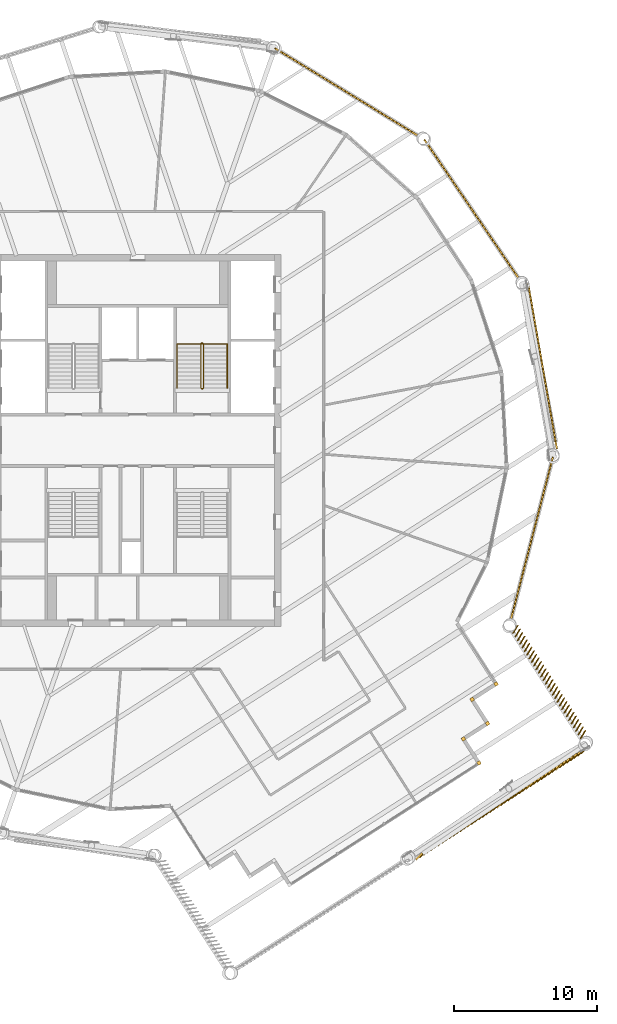
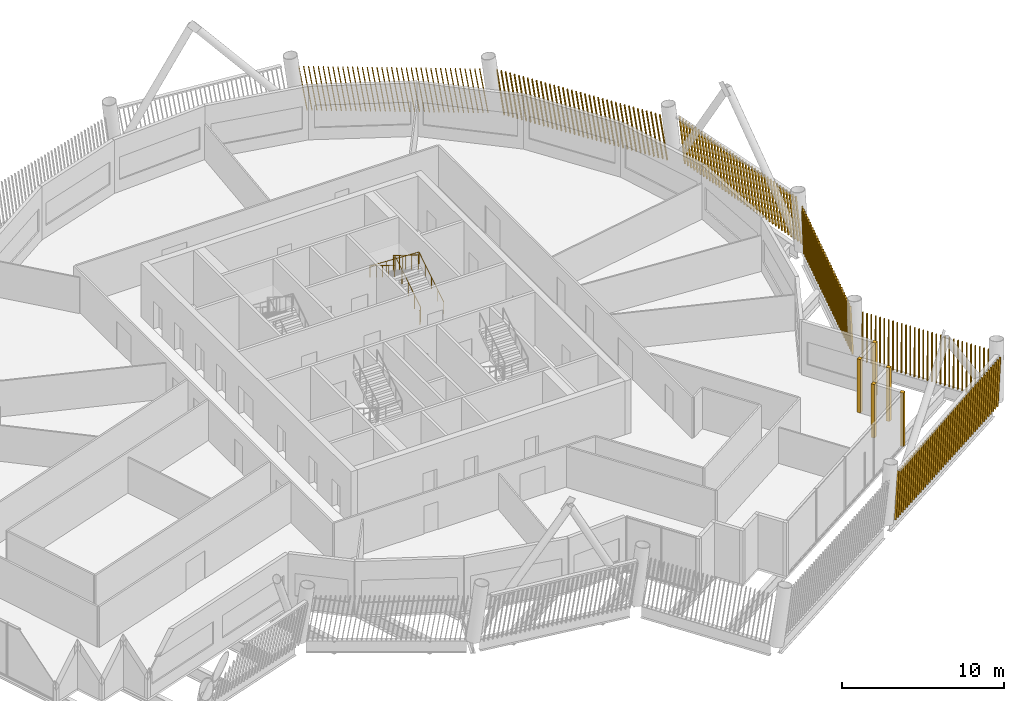
# One storey, part 33 of 35: 11 shading devices, 2 railings.
"""IFC4 building model written with IfcOpenShell, lengths in metres."""

from ifc_helpers import new_model, si_unit, direction, frame, frame_2d, origin, origin_2d, place, context, subcontext, project, spatial, rectangle, circle, composite_profile, extrude, material, type_object, element, save


model = new_model("IFC4")

# Units and contexts
model_context = context("Model", 3, precision=1e-05, world=origin(), true_north=direction((0.0, 1.0)))
body_context = subcontext(model_context, "Body", "Model", "MODEL_VIEW")
ifc_project = project(units=[si_unit("LENGTHUNIT", "METRE"), si_unit("AREAUNIT", "SQUARE_METRE"), si_unit("VOLUMEUNIT", "CUBIC_METRE"), si_unit("PLANEANGLEUNIT", "RADIAN"), si_unit("MASSUNIT", "GRAM", prefix="KILO")], contexts=[model_context])

# Site, building, storey
site_placement = place(None, origin())
site = spatial("IfcSite", under=ifc_project, at=site_placement, CompositionType="ELEMENT")
building_placement = place(site_placement, origin())
building = spatial("IfcBuilding", under=site, at=building_placement, Name="Tarsis Ring Headquarters", CompositionType="ELEMENT")
storey_placement = place(building_placement, frame((0.0, 0.0, 360.800048828125)))
storey = spatial("IfcBuildingStorey", under=building, at=storey_placement, Name="L85", CompositionType="ELEMENT", Elevation=360.800048828125)

# Railings
ifc_material_1 = material(Name="Steel S355", Category="steel")
railing_type_1 = type_object("IfcRailingType", Name="Core stair guard 1100", PredefinedType="GUARDRAIL", material=ifc_material_1)
railing_1_placement = place(storey_placement, frame((4.4599609375, 3.610107421875, 0.0)))
element("IfcRailing", 1, at=railing_1_placement, inside=storey, type_object=railing_type_1, Name="L85 ST2 stair guard 1", PredefinedType="GUARDRAIL", context=body_context, shape_type="SweptSolid", body=[
    extrude(circle(Radius=0.02392578125, at=origin_2d()), frame((0.0, 0.0, 1.076171875), z_axis=(1.0, 0.0, 0.0), x_axis=(0.0, 1.0, 0.0)), (0.0, 0.0, 1.0), 0.080078125),
    extrude(circle(Radius=0.02392578125, at=origin_2d()), frame((0.080078125, 0.0, 1.076171875), z_axis=(0.265155923931, 0.263862480399, 0.927399011991), x_axis=(-0.705375805398, 0.708833529934, 0.0)), (0.0, 0.0, 1.0), 0.188720703125),
    extrude(circle(Radius=0.02392578125, at=origin_2d()), frame((0.130126953125, 0.0498046875, 1.2509765625), z_axis=(0.0, 0.848028513186, 0.529950602248), x_axis=(-1.0, 0.0, 0.0)), (0.0, 0.0, 1.0), 3.632080078125),
    extrude(circle(Radius=0.02392578125, at=origin_2d()), frame((0.130126953125, 3.1298828125, 3.17578125), z_axis=(-0.707106781187, 0.707106781187, 0.0), x_axis=(-0.707106781187, -0.707106781187, 0.0)), (0.0, 0.0, 1.0), 0.07080078125),
    extrude(circle(Radius=0.02392578125, at=origin_2d()), frame((0.080078125, 3.179931640625, 3.17578125), z_axis=(-1.0, 0.0, 0.0), x_axis=(0.0, -1.0, 0.0)), (0.0, 0.0, 1.0), 0.080078125),
    extrude(circle(Radius=0.02392578125, at=origin_2d()), frame((0.0, 3.179931640625, 3.17578125), z_axis=(-0.265065253269, -0.265065253269, 0.927081885822), x_axis=(0.707106781187, -0.707106781187, 0.0)), (0.0, 0.0, 1.0), 0.188720703125),
    extrude(circle(Radius=0.02392578125, at=origin_2d()), frame((-0.050048828125, 3.1298828125, 3.35107421875), z_axis=(0.0, -0.847998304005, 0.529998940003), x_axis=(1.0, 0.0, 0.0)), (0.0, 0.0, 1.0), 3.632080078125),
    extrude(circle(Radius=0.02099609375, at=origin_2d()), origin(), (0.0, 0.0, 1.0), 1.052001953125),
    extrude(circle(Radius=0.02099609375, at=origin_2d()), frame((0.080078125, 0.0, 0.0)), (0.0, 0.0, 1.0), 1.052001953125),
    extrude(circle(Radius=0.02099609375, at=origin_2d()), frame((0.130126953125, 0.0498046875, 0.175048828125)), (0.0, 0.0, 1.0), 1.052001953125),
    extrude(circle(Radius=0.02099609375, at=origin_2d()), frame((0.130126953125, 0.81982421875, 0.65625)), (0.0, 0.0, 1.0), 1.052001953125),
    extrude(circle(Radius=0.02099609375, at=origin_2d()), frame((0.130126953125, 1.58984375, 1.137451171875)), (0.0, 0.0, 1.0), 1.052001953125),
    extrude(circle(Radius=0.02099609375, at=origin_2d()), frame((0.130126953125, 2.35986328125, 1.61865234375)), (0.0, 0.0, 1.0), 1.052001953125),
    extrude(circle(Radius=0.02099609375, at=origin_2d()), frame((0.130126953125, 3.1298828125, 2.099853515625)), (0.0, 0.0, 1.0), 1.052001953125),
    extrude(circle(Radius=0.02099609375, at=origin_2d()), frame((0.080078125, 3.179931640625, 2.099853515625)), (0.0, 0.0, 1.0), 1.052001953125),
    extrude(circle(Radius=0.02099609375, at=origin_2d()), frame((0.0, 3.179931640625, 2.099853515625)), (0.0, 0.0, 1.0), 1.052001953125),
    extrude(circle(Radius=0.02099609375, at=origin_2d()), frame((-0.050048828125, 3.1298828125, 2.27490234375)), (0.0, 0.0, 1.0), 1.052001953125),
    extrude(circle(Radius=0.02099609375, at=origin_2d()), frame((-0.050048828125, 2.35986328125, 2.756103515625)), (0.0, 0.0, 1.0), 1.052001953125),
    extrude(circle(Radius=0.02099609375, at=origin_2d()), frame((-0.050048828125, 1.58984375, 3.2373046875)), (0.0, 0.0, 1.0), 1.052001953125),
    extrude(circle(Radius=0.02099609375, at=origin_2d()), frame((-0.050048828125, 0.81982421875, 3.71875)), (0.0, 0.0, 1.0), 1.052001953125),
    extrude(circle(Radius=0.02099609375, at=origin_2d()), frame((-0.050048828125, 0.0498046875, 4.199951171875)), (0.0, 0.0, 1.0), 1.052001953125),
])
railing_type_2 = type_object("IfcRailingType", Name="Core stair handrail 900", PredefinedType="HANDRAIL", material=ifc_material_1)
railing_2_placement = place(storey_placement, frame((6.25, 3.659912109375, 0.175048828125)))
element("IfcRailing", 2, at=railing_2_placement, inside=storey, type_object=railing_type_2, Name="L85 ST2 stair handrail 1", PredefinedType="HANDRAIL", context=body_context, shape_type="SweptSolid", body=[
    extrude(circle(Radius=0.02392578125, at=origin_2d()), frame((0.0, 0.0, 0.8759765625), z_axis=(0.0, 0.848028513186, 0.529950602248), x_axis=(-1.0, 0.0, 0.0)), (0.0, 0.0, 1.0), 3.632080078125),
    extrude(circle(Radius=0.02392578125, at=origin_2d()), frame((0.0, 3.080078125, 2.80078125), z_axis=(-0.998751643845, 0.0, 0.049951515669), x_axis=(0.0, -1.0, 0.0)), (0.0, 0.0, 1.0), 3.50439453125),
    extrude(circle(Radius=0.02392578125, at=origin_2d()), frame((-3.5, 3.080078125, 2.9755859375), z_axis=(0.0, -0.847998304005, 0.529998940003), x_axis=(1.0, 0.0, 0.0)), (0.0, 0.0, 1.0), 3.632080078125),
    extrude(circle(Radius=0.02099609375, at=origin_2d()), origin(), (0.0, 0.0, 1.0), 0.851806640625),
    extrude(circle(Radius=0.02099609375, at=origin_2d()), frame((0.0, 0.77001953125, 0.481201171875)), (0.0, 0.0, 1.0), 0.851806640625),
    extrude(circle(Radius=0.02099609375, at=origin_2d()), frame((0.0, 1.5400390625, 0.96240234375)), (0.0, 0.0, 1.0), 0.851806640625),
    extrude(circle(Radius=0.02099609375, at=origin_2d()), frame((0.0, 2.31005859375, 1.443603515625)), (0.0, 0.0, 1.0), 0.851806640625),
    extrude(circle(Radius=0.02099609375, at=origin_2d()), frame((0.0, 3.080078125, 1.9248046875)), (0.0, 0.0, 1.0), 0.851806640625),
    extrude(circle(Radius=0.02099609375, at=origin_2d()), frame((-1.166748046875, 3.080078125, 1.983154296875)), (0.0, 0.0, 1.0), 0.851806640625),
    extrude(circle(Radius=0.02099609375, at=origin_2d()), frame((-2.333251953125, 3.080078125, 2.04150390625)), (0.0, 0.0, 1.0), 0.851806640625),
    extrude(circle(Radius=0.02099609375, at=origin_2d()), frame((-3.5, 3.080078125, 2.099853515625)), (0.0, 0.0, 1.0), 0.851806640625),
    extrude(circle(Radius=0.02099609375, at=origin_2d()), frame((-3.5, 2.31005859375, 2.5810546875)), (0.0, 0.0, 1.0), 0.851806640625),
    extrude(circle(Radius=0.02099609375, at=origin_2d()), frame((-3.5, 1.5400390625, 3.0625)), (0.0, 0.0, 1.0), 0.851806640625),
    extrude(circle(Radius=0.02099609375, at=origin_2d()), frame((-3.5, 0.77001953125, 3.543701171875)), (0.0, 0.0, 1.0), 0.851806640625),
    extrude(circle(Radius=0.02099609375, at=origin_2d()), frame((-3.5, 0.0, 4.02490234375)), (0.0, 0.0, 1.0), 0.851806640625),
])

# Shading devices
ifc_material_2 = material(Name="Terracotta baguette", Category="masonry")
shading_device_type_1 = type_object("IfcShadingDeviceType", Name="Terracotta baguette screen", PredefinedType="USERDEFINED", material=ifc_material_2)
shading_device_1_placement = place(storey_placement, frame((19.433837890625, -29.3232421875, 0.0), z_axis=(0.0, 0.0, 1.0), x_axis=(0.841326846528, 0.540539584255, 0.0)))
element("IfcShadingDevice", 3, at=shading_device_1_placement, inside=storey, type_object=shading_device_type_1, Name="Baguette screen L85-03", ObjectType="Terracotta baguette screen", PredefinedType="USERDEFINED", context=body_context, shape_type="SweptSolid", body=[
    extrude(composite_profile([rectangle(XDim=0.06005859375, YDim=0.1201171875, at=frame_2d((0.030029296875, 0.0))), rectangle(XDim=0.06005859375, YDim=0.1201171875, at=frame_2d((0.33544921875, 0.0))), rectangle(XDim=0.06005859375, YDim=0.1201171875, at=frame_2d((0.640625, 0.0))), rectangle(XDim=0.06005859375, YDim=0.1201171875, at=frame_2d((0.946044921875, 0.0))), rectangle(XDim=0.06005859375, YDim=0.1201171875, at=frame_2d((1.25146484375, 0.0))), rectangle(XDim=0.06005859375, YDim=0.1201171875, at=frame_2d((1.556640625, 0.0))), rectangle(XDim=0.06005859375, YDim=0.1201171875, at=frame_2d((1.862060546875, 0.0))), rectangle(XDim=0.06005859375, YDim=0.1201171875, at=frame_2d((2.16748046875, 0.0))), rectangle(XDim=0.06005859375, YDim=0.1201171875, at=frame_2d((2.47265625, 0.0))), rectangle(XDim=0.06005859375, YDim=0.1201171875, at=frame_2d((2.778076171875, 0.0))), rectangle(XDim=0.06005859375, YDim=0.1201171875, at=frame_2d((3.08349609375, 0.0))), rectangle(XDim=0.06005859375, YDim=0.1201171875, at=frame_2d((3.388671875, 0.0))), rectangle(XDim=0.06005859375, YDim=0.1201171875, at=frame_2d((3.694091796875, 0.0))), rectangle(XDim=0.06005859375, YDim=0.1201171875, at=frame_2d((3.99951171875, 0.0))), rectangle(XDim=0.06005859375, YDim=0.1201171875, at=frame_2d((4.3046875, 0.0))), rectangle(XDim=0.06005859375, YDim=0.1201171875, at=frame_2d((4.610107421875, 0.0))), rectangle(XDim=0.06005859375, YDim=0.1201171875, at=frame_2d((4.91552734375, 0.0))), rectangle(XDim=0.06005859375, YDim=0.1201171875, at=frame_2d((5.220703125, 0.0))), rectangle(XDim=0.06005859375, YDim=0.1201171875, at=frame_2d((5.526123046875, 0.0))), rectangle(XDim=0.06005859375, YDim=0.1201171875, at=frame_2d((5.83154296875, 0.0))), rectangle(XDim=0.06005859375, YDim=0.1201171875, at=frame_2d((6.13671875, 0.0))), rectangle(XDim=0.06005859375, YDim=0.1201171875, at=frame_2d((6.442138671875, 0.0))), rectangle(XDim=0.06005859375, YDim=0.1201171875, at=frame_2d((6.74755859375, 0.0))), rectangle(XDim=0.06005859375, YDim=0.1201171875, at=frame_2d((7.052734375, 0.0))), rectangle(XDim=0.06005859375, YDim=0.1201171875, at=frame_2d((7.358154296875, 0.0))), rectangle(XDim=0.06005859375, YDim=0.1201171875, at=frame_2d((7.66357421875, 0.0))), rectangle(XDim=0.06005859375, YDim=0.1201171875, at=frame_2d((7.96875, 0.0))), rectangle(XDim=0.06005859375, YDim=0.1201171875, at=frame_2d((8.274169921875, 0.0))), rectangle(XDim=0.06005859375, YDim=0.1201171875, at=frame_2d((8.57958984375, 0.0))), rectangle(XDim=0.06005859375, YDim=0.1201171875, at=frame_2d((8.884765625, 0.0))), rectangle(XDim=0.06005859375, YDim=0.1201171875, at=frame_2d((9.190185546875, 0.0))), rectangle(XDim=0.06005859375, YDim=0.1201171875, at=frame_2d((9.49560546875, 0.0))), rectangle(XDim=0.06005859375, YDim=0.1201171875, at=frame_2d((9.80078125, 0.0))), rectangle(XDim=0.06005859375, YDim=0.1201171875, at=frame_2d((10.106201171875, 0.0))), rectangle(XDim=0.06005859375, YDim=0.1201171875, at=frame_2d((10.41162109375, 0.0))), rectangle(XDim=0.06005859375, YDim=0.1201171875, at=frame_2d((10.716796875, 0.0))), rectangle(XDim=0.06005859375, YDim=0.1201171875, at=frame_2d((11.022216796875, 0.0))), rectangle(XDim=0.06005859375, YDim=0.1201171875, at=frame_2d((11.32763671875, 0.0))), rectangle(XDim=0.06005859375, YDim=0.1201171875, at=frame_2d((11.6328125, 0.0))), rectangle(XDim=0.06005859375, YDim=0.1201171875, at=frame_2d((11.938232421875, 0.0))), rectangle(XDim=0.06005859375, YDim=0.1201171875, at=frame_2d((12.24365234375, 0.0))), rectangle(XDim=0.06005859375, YDim=0.1201171875, at=frame_2d((12.548828125, 0.0))), rectangle(XDim=0.06005859375, YDim=0.1201171875, at=frame_2d((12.854248046875, 0.0))), rectangle(XDim=0.06005859375, YDim=0.1201171875, at=frame_2d((13.15966796875, 0.0))), rectangle(XDim=0.06005859375, YDim=0.1201171875, at=frame_2d((13.46484375, 0.0))), rectangle(XDim=0.06005859375, YDim=0.1201171875, at=frame_2d((13.770263671875, 0.0)))]), origin(), (0.190514647932, 0.041888345504, 0.980790260675), 3.3447265625),
])
shading_device_2_placement = place(storey_placement, frame((30.991943359375, -20.857421875, 0.0), z_axis=(0.0, 0.0, 1.0), x_axis=(-0.540539041704, 0.841309893523, 0.0)))
element("IfcShadingDevice", 4, at=shading_device_2_placement, inside=storey, type_object=shading_device_type_1, Name="Baguette screen L85-04", ObjectType="Terracotta baguette screen", PredefinedType="USERDEFINED", context=body_context, shape_type="SweptSolid", body=[
    extrude(composite_profile([rectangle(XDim=0.06005859375, YDim=0.1201171875, at=frame_2d((0.030029296875, 0.0))), rectangle(XDim=0.06005859375, YDim=0.1201171875, at=frame_2d((0.33154296875, 0.0))), rectangle(XDim=0.06005859375, YDim=0.1201171875, at=frame_2d((0.633056640625, 0.0))), rectangle(XDim=0.06005859375, YDim=0.1201171875, at=frame_2d((0.9345703125, 0.0))), rectangle(XDim=0.06005859375, YDim=0.1201171875, at=frame_2d((1.236083984375, 0.0))), rectangle(XDim=0.06005859375, YDim=0.1201171875, at=frame_2d((1.537841796875, 0.0))), rectangle(XDim=0.06005859375, YDim=0.1201171875, at=frame_2d((1.83935546875, 0.0))), rectangle(XDim=0.06005859375, YDim=0.1201171875, at=frame_2d((2.140869140625, 0.0))), rectangle(XDim=0.06005859375, YDim=0.1201171875, at=frame_2d((2.4423828125, 0.0))), rectangle(XDim=0.06005859375, YDim=0.1201171875, at=frame_2d((2.743896484375, 0.0))), rectangle(XDim=0.06005859375, YDim=0.1201171875, at=frame_2d((3.04541015625, 0.0))), rectangle(XDim=0.06005859375, YDim=0.1201171875, at=frame_2d((3.346923828125, 0.0))), rectangle(XDim=0.06005859375, YDim=0.1201171875, at=frame_2d((3.6484375, 0.0))), rectangle(XDim=0.06005859375, YDim=0.1201171875, at=frame_2d((3.949951171875, 0.0))), rectangle(XDim=0.06005859375, YDim=0.1201171875, at=frame_2d((4.25146484375, 0.0))), rectangle(XDim=0.06005859375, YDim=0.1201171875, at=frame_2d((4.55322265625, 0.0))), rectangle(XDim=0.06005859375, YDim=0.1201171875, at=frame_2d((4.854736328125, 0.0))), rectangle(XDim=0.06005859375, YDim=0.1201171875, at=frame_2d((5.15625, 0.0))), rectangle(XDim=0.06005859375, YDim=0.1201171875, at=frame_2d((5.457763671875, 0.0))), rectangle(XDim=0.06005859375, YDim=0.1201171875, at=frame_2d((5.75927734375, 0.0))), rectangle(XDim=0.06005859375, YDim=0.1201171875, at=frame_2d((6.060791015625, 0.0))), rectangle(XDim=0.06005859375, YDim=0.1201171875, at=frame_2d((6.3623046875, 0.0))), rectangle(XDim=0.06005859375, YDim=0.1201171875, at=frame_2d((6.663818359375, 0.0))), rectangle(XDim=0.06005859375, YDim=0.1201171875, at=frame_2d((6.96533203125, 0.0))), rectangle(XDim=0.06005859375, YDim=0.1201171875, at=frame_2d((7.266845703125, 0.0))), rectangle(XDim=0.06005859375, YDim=0.1201171875, at=frame_2d((7.568603515625, 0.0))), rectangle(XDim=0.06005859375, YDim=0.1201171875, at=frame_2d((7.8701171875, 0.0))), rectangle(XDim=0.06005859375, YDim=0.1201171875, at=frame_2d((8.171630859375, 0.0))), rectangle(XDim=0.06005859375, YDim=0.1201171875, at=frame_2d((8.47314453125, 0.0))), rectangle(XDim=0.06005859375, YDim=0.1201171875, at=frame_2d((8.774658203125, 0.0)))]), origin(), (0.081999217282, -0.161938972366, 0.98338796901), 3.3359375),
])
shading_device_3_placement = place(storey_placement, frame((26.08740234375, -12.545166015625, 0.0), z_axis=(0.0, 0.0, 1.0), x_axis=(0.25002712968, 0.96824742268, 0.0)))
element("IfcShadingDevice", 5, at=shading_device_3_placement, inside=storey, type_object=shading_device_type_1, Name="Baguette screen L85-05", ObjectType="Terracotta baguette screen", PredefinedType="USERDEFINED", context=body_context, shape_type="SweptSolid", body=[
    extrude(composite_profile([rectangle(XDim=0.06005859375, YDim=0.1201171875, at=frame_2d((0.030029296875, 0.0))), rectangle(XDim=0.06005859375, YDim=0.1201171875, at=frame_2d((0.33251953125, 0.0))), rectangle(XDim=0.06005859375, YDim=0.1201171875, at=frame_2d((0.634765625, 0.0))), rectangle(XDim=0.06005859375, YDim=0.1201171875, at=frame_2d((0.937255859375, 0.0))), rectangle(XDim=0.06005859375, YDim=0.1201171875, at=frame_2d((1.239501953125, 0.0))), rectangle(XDim=0.06005859375, YDim=0.1201171875, at=frame_2d((1.5419921875, 0.0))), rectangle(XDim=0.06005859375, YDim=0.1201171875, at=frame_2d((1.844482421875, 0.0))), rectangle(XDim=0.06005859375, YDim=0.1201171875, at=frame_2d((2.146728515625, 0.0))), rectangle(XDim=0.06005859375, YDim=0.1201171875, at=frame_2d((2.44921875, 0.0))), rectangle(XDim=0.06005859375, YDim=0.1201171875, at=frame_2d((2.751708984375, 0.0))), rectangle(XDim=0.06005859375, YDim=0.1201171875, at=frame_2d((3.053955078125, 0.0))), rectangle(XDim=0.06005859375, YDim=0.1201171875, at=frame_2d((3.3564453125, 0.0))), rectangle(XDim=0.06005859375, YDim=0.1201171875, at=frame_2d((3.65869140625, 0.0))), rectangle(XDim=0.06005859375, YDim=0.1201171875, at=frame_2d((3.961181640625, 0.0))), rectangle(XDim=0.06005859375, YDim=0.1201171875, at=frame_2d((4.263671875, 0.0))), rectangle(XDim=0.06005859375, YDim=0.1201171875, at=frame_2d((4.56591796875, 0.0))), rectangle(XDim=0.06005859375, YDim=0.1201171875, at=frame_2d((4.868408203125, 0.0))), rectangle(XDim=0.06005859375, YDim=0.1201171875, at=frame_2d((5.1708984375, 0.0))), rectangle(XDim=0.06005859375, YDim=0.1201171875, at=frame_2d((5.47314453125, 0.0))), rectangle(XDim=0.06005859375, YDim=0.1201171875, at=frame_2d((5.775634765625, 0.0))), rectangle(XDim=0.06005859375, YDim=0.1201171875, at=frame_2d((6.077880859375, 0.0))), rectangle(XDim=0.06005859375, YDim=0.1201171875, at=frame_2d((6.38037109375, 0.0))), rectangle(XDim=0.06005859375, YDim=0.1201171875, at=frame_2d((6.682861328125, 0.0))), rectangle(XDim=0.06005859375, YDim=0.1201171875, at=frame_2d((6.985107421875, 0.0))), rectangle(XDim=0.06005859375, YDim=0.1201171875, at=frame_2d((7.28759765625, 0.0))), rectangle(XDim=0.06005859375, YDim=0.1201171875, at=frame_2d((7.590087890625, 0.0))), rectangle(XDim=0.06005859375, YDim=0.1201171875, at=frame_2d((7.892333984375, 0.0))), rectangle(XDim=0.06005859375, YDim=0.1201171875, at=frame_2d((8.19482421875, 0.0))), rectangle(XDim=0.06005859375, YDim=0.1201171875, at=frame_2d((8.4970703125, 0.0))), rectangle(XDim=0.06005859375, YDim=0.1201171875, at=frame_2d((8.799560546875, 0.0))), rectangle(XDim=0.06005859375, YDim=0.1201171875, at=frame_2d((9.10205078125, 0.0))), rectangle(XDim=0.06005859375, YDim=0.1201171875, at=frame_2d((9.404296875, 0.0))), rectangle(XDim=0.06005859375, YDim=0.1201171875, at=frame_2d((9.706787109375, 0.0))), rectangle(XDim=0.06005859375, YDim=0.1201171875, at=frame_2d((10.00927734375, 0.0))), rectangle(XDim=0.06005859375, YDim=0.1201171875, at=frame_2d((10.3115234375, 0.0))), rectangle(XDim=0.06005859375, YDim=0.1201171875, at=frame_2d((10.614013671875, 0.0))), rectangle(XDim=0.06005859375, YDim=0.1201171875, at=frame_2d((10.916259765625, 0.0))), rectangle(XDim=0.06005859375, YDim=0.1201171875, at=frame_2d((11.21875, 0.0)))]), origin(), (0.15520405497, 0.001409125426, 0.987881427949), 3.32080078125),
])
shading_device_4_placement = place(storey_placement, frame((29.308837890625, -0.61279296875, 0.0), z_axis=(0.0, 0.0, 1.0), x_axis=(-0.171303932633, 0.985220071187, 0.0)))
element("IfcShadingDevice", 6, at=shading_device_4_placement, inside=storey, type_object=shading_device_type_1, Name="Baguette screen L85-06", ObjectType="Terracotta baguette screen", PredefinedType="USERDEFINED", context=body_context, shape_type="SweptSolid", body=[
    extrude(composite_profile([rectangle(XDim=0.06005859375, YDim=0.1201171875, at=frame_2d((0.030029296875, 0.0))), rectangle(XDim=0.06005859375, YDim=0.1201171875, at=frame_2d((0.33251953125, 0.0))), rectangle(XDim=0.06005859375, YDim=0.1201171875, at=frame_2d((0.634765625, 0.0))), rectangle(XDim=0.06005859375, YDim=0.1201171875, at=frame_2d((0.937255859375, 0.0))), rectangle(XDim=0.06005859375, YDim=0.1201171875, at=frame_2d((1.239501953125, 0.0))), rectangle(XDim=0.06005859375, YDim=0.1201171875, at=frame_2d((1.5419921875, 0.0))), rectangle(XDim=0.06005859375, YDim=0.1201171875, at=frame_2d((1.844482421875, 0.0))), rectangle(XDim=0.06005859375, YDim=0.1201171875, at=frame_2d((2.146728515625, 0.0))), rectangle(XDim=0.06005859375, YDim=0.1201171875, at=frame_2d((2.44921875, 0.0))), rectangle(XDim=0.06005859375, YDim=0.1201171875, at=frame_2d((2.751708984375, 0.0))), rectangle(XDim=0.06005859375, YDim=0.1201171875, at=frame_2d((3.053955078125, 0.0))), rectangle(XDim=0.06005859375, YDim=0.1201171875, at=frame_2d((3.3564453125, 0.0))), rectangle(XDim=0.06005859375, YDim=0.1201171875, at=frame_2d((3.65869140625, 0.0))), rectangle(XDim=0.06005859375, YDim=0.1201171875, at=frame_2d((3.961181640625, 0.0))), rectangle(XDim=0.06005859375, YDim=0.1201171875, at=frame_2d((4.263671875, 0.0))), rectangle(XDim=0.06005859375, YDim=0.1201171875, at=frame_2d((4.56591796875, 0.0))), rectangle(XDim=0.06005859375, YDim=0.1201171875, at=frame_2d((4.868408203125, 0.0))), rectangle(XDim=0.06005859375, YDim=0.1201171875, at=frame_2d((5.1708984375, 0.0))), rectangle(XDim=0.06005859375, YDim=0.1201171875, at=frame_2d((5.47314453125, 0.0))), rectangle(XDim=0.06005859375, YDim=0.1201171875, at=frame_2d((5.775634765625, 0.0))), rectangle(XDim=0.06005859375, YDim=0.1201171875, at=frame_2d((6.077880859375, 0.0))), rectangle(XDim=0.06005859375, YDim=0.1201171875, at=frame_2d((6.38037109375, 0.0))), rectangle(XDim=0.06005859375, YDim=0.1201171875, at=frame_2d((6.682861328125, 0.0))), rectangle(XDim=0.06005859375, YDim=0.1201171875, at=frame_2d((6.985107421875, 0.0))), rectangle(XDim=0.06005859375, YDim=0.1201171875, at=frame_2d((7.28759765625, 0.0))), rectangle(XDim=0.06005859375, YDim=0.1201171875, at=frame_2d((7.590087890625, 0.0))), rectangle(XDim=0.06005859375, YDim=0.1201171875, at=frame_2d((7.892333984375, 0.0))), rectangle(XDim=0.06005859375, YDim=0.1201171875, at=frame_2d((8.19482421875, 0.0))), rectangle(XDim=0.06005859375, YDim=0.1201171875, at=frame_2d((8.4970703125, 0.0))), rectangle(XDim=0.06005859375, YDim=0.1201171875, at=frame_2d((8.799560546875, 0.0))), rectangle(XDim=0.06005859375, YDim=0.1201171875, at=frame_2d((9.10205078125, 0.0))), rectangle(XDim=0.06005859375, YDim=0.1201171875, at=frame_2d((9.404296875, 0.0))), rectangle(XDim=0.06005859375, YDim=0.1201171875, at=frame_2d((9.706787109375, 0.0))), rectangle(XDim=0.06005859375, YDim=0.1201171875, at=frame_2d((10.00927734375, 0.0))), rectangle(XDim=0.06005859375, YDim=0.1201171875, at=frame_2d((10.3115234375, 0.0))), rectangle(XDim=0.06005859375, YDim=0.1201171875, at=frame_2d((10.614013671875, 0.0))), rectangle(XDim=0.06005859375, YDim=0.1201171875, at=frame_2d((10.916259765625, 0.0))), rectangle(XDim=0.06005859375, YDim=0.1201171875, at=frame_2d((11.21875, 0.0)))]), origin(), (0.157202529364, 0.001427126504, 0.987565353823), 3.32177734375),
])
shading_device_5_placement = place(storey_placement, frame((26.6455078125, 11.311767578125, 0.0), z_axis=(0.0, 0.0, 1.0), x_axis=(-0.56217037439, 0.82702116115, 0.0)))
element("IfcShadingDevice", 7, at=shading_device_5_placement, inside=storey, type_object=shading_device_type_1, Name="Baguette screen L85-07", ObjectType="Terracotta baguette screen", PredefinedType="USERDEFINED", context=body_context, shape_type="SweptSolid", body=[
    extrude(composite_profile([rectangle(XDim=0.06005859375, YDim=0.1201171875, at=frame_2d((0.030029296875, 0.0))), rectangle(XDim=0.06005859375, YDim=0.1201171875, at=frame_2d((0.33251953125, 0.0))), rectangle(XDim=0.06005859375, YDim=0.1201171875, at=frame_2d((0.634765625, 0.0))), rectangle(XDim=0.06005859375, YDim=0.1201171875, at=frame_2d((0.937255859375, 0.0))), rectangle(XDim=0.06005859375, YDim=0.1201171875, at=frame_2d((1.239501953125, 0.0))), rectangle(XDim=0.06005859375, YDim=0.1201171875, at=frame_2d((1.5419921875, 0.0))), rectangle(XDim=0.06005859375, YDim=0.1201171875, at=frame_2d((1.844482421875, 0.0))), rectangle(XDim=0.06005859375, YDim=0.1201171875, at=frame_2d((2.146728515625, 0.0))), rectangle(XDim=0.06005859375, YDim=0.1201171875, at=frame_2d((2.44921875, 0.0))), rectangle(XDim=0.06005859375, YDim=0.1201171875, at=frame_2d((2.751708984375, 0.0))), rectangle(XDim=0.06005859375, YDim=0.1201171875, at=frame_2d((3.053955078125, 0.0))), rectangle(XDim=0.06005859375, YDim=0.1201171875, at=frame_2d((3.3564453125, 0.0))), rectangle(XDim=0.06005859375, YDim=0.1201171875, at=frame_2d((3.65869140625, 0.0))), rectangle(XDim=0.06005859375, YDim=0.1201171875, at=frame_2d((3.961181640625, 0.0))), rectangle(XDim=0.06005859375, YDim=0.1201171875, at=frame_2d((4.263671875, 0.0))), rectangle(XDim=0.06005859375, YDim=0.1201171875, at=frame_2d((4.56591796875, 0.0))), rectangle(XDim=0.06005859375, YDim=0.1201171875, at=frame_2d((4.868408203125, 0.0))), rectangle(XDim=0.06005859375, YDim=0.1201171875, at=frame_2d((5.1708984375, 0.0))), rectangle(XDim=0.06005859375, YDim=0.1201171875, at=frame_2d((5.47314453125, 0.0))), rectangle(XDim=0.06005859375, YDim=0.1201171875, at=frame_2d((5.775634765625, 0.0))), rectangle(XDim=0.06005859375, YDim=0.1201171875, at=frame_2d((6.077880859375, 0.0))), rectangle(XDim=0.06005859375, YDim=0.1201171875, at=frame_2d((6.38037109375, 0.0))), rectangle(XDim=0.06005859375, YDim=0.1201171875, at=frame_2d((6.682861328125, 0.0))), rectangle(XDim=0.06005859375, YDim=0.1201171875, at=frame_2d((6.985107421875, 0.0))), rectangle(XDim=0.06005859375, YDim=0.1201171875, at=frame_2d((7.28759765625, 0.0))), rectangle(XDim=0.06005859375, YDim=0.1201171875, at=frame_2d((7.590087890625, 0.0))), rectangle(XDim=0.06005859375, YDim=0.1201171875, at=frame_2d((7.892333984375, 0.0))), rectangle(XDim=0.06005859375, YDim=0.1201171875, at=frame_2d((8.19482421875, 0.0))), rectangle(XDim=0.06005859375, YDim=0.1201171875, at=frame_2d((8.4970703125, 0.0))), rectangle(XDim=0.06005859375, YDim=0.1201171875, at=frame_2d((8.799560546875, 0.0))), rectangle(XDim=0.06005859375, YDim=0.1201171875, at=frame_2d((9.10205078125, 0.0))), rectangle(XDim=0.06005859375, YDim=0.1201171875, at=frame_2d((9.404296875, 0.0))), rectangle(XDim=0.06005859375, YDim=0.1201171875, at=frame_2d((9.706787109375, 0.0))), rectangle(XDim=0.06005859375, YDim=0.1201171875, at=frame_2d((10.00927734375, 0.0))), rectangle(XDim=0.06005859375, YDim=0.1201171875, at=frame_2d((10.3115234375, 0.0))), rectangle(XDim=0.06005859375, YDim=0.1201171875, at=frame_2d((10.614013671875, 0.0))), rectangle(XDim=0.06005859375, YDim=0.1201171875, at=frame_2d((10.916259765625, 0.0))), rectangle(XDim=0.06005859375, YDim=0.1201171875, at=frame_2d((11.21875, 0.0)))]), origin(), (0.155202831952, 0.001409195253, 0.987881619994), 3.32080078125),
])
shading_device_6_placement = place(storey_placement, frame((19.6142578125, 21.2890625, 0.0), z_axis=(0.0, 0.0, 1.0), x_axis=(-0.853090546054, 0.521768382672, 0.0)))
element("IfcShadingDevice", 8, at=shading_device_6_placement, inside=storey, type_object=shading_device_type_1, Name="Baguette screen L85-08", ObjectType="Terracotta baguette screen", PredefinedType="USERDEFINED", context=body_context, shape_type="SweptSolid", body=[
    extrude(composite_profile([rectangle(XDim=0.06005859375, YDim=0.1201171875, at=frame_2d((0.030029296875, 0.0))), rectangle(XDim=0.06005859375, YDim=0.1201171875, at=frame_2d((0.33251953125, 0.0))), rectangle(XDim=0.06005859375, YDim=0.1201171875, at=frame_2d((0.634765625, 0.0))), rectangle(XDim=0.06005859375, YDim=0.1201171875, at=frame_2d((0.937255859375, 0.0))), rectangle(XDim=0.06005859375, YDim=0.1201171875, at=frame_2d((1.239501953125, 0.0))), rectangle(XDim=0.06005859375, YDim=0.1201171875, at=frame_2d((1.5419921875, 0.0))), rectangle(XDim=0.06005859375, YDim=0.1201171875, at=frame_2d((1.844482421875, 0.0))), rectangle(XDim=0.06005859375, YDim=0.1201171875, at=frame_2d((2.146728515625, 0.0))), rectangle(XDim=0.06005859375, YDim=0.1201171875, at=frame_2d((2.44921875, 0.0))), rectangle(XDim=0.06005859375, YDim=0.1201171875, at=frame_2d((2.751708984375, 0.0))), rectangle(XDim=0.06005859375, YDim=0.1201171875, at=frame_2d((3.053955078125, 0.0))), rectangle(XDim=0.06005859375, YDim=0.1201171875, at=frame_2d((3.3564453125, 0.0))), rectangle(XDim=0.06005859375, YDim=0.1201171875, at=frame_2d((3.65869140625, 0.0))), rectangle(XDim=0.06005859375, YDim=0.1201171875, at=frame_2d((3.961181640625, 0.0))), rectangle(XDim=0.06005859375, YDim=0.1201171875, at=frame_2d((4.263671875, 0.0))), rectangle(XDim=0.06005859375, YDim=0.1201171875, at=frame_2d((4.56591796875, 0.0))), rectangle(XDim=0.06005859375, YDim=0.1201171875, at=frame_2d((4.868408203125, 0.0))), rectangle(XDim=0.06005859375, YDim=0.1201171875, at=frame_2d((5.1708984375, 0.0))), rectangle(XDim=0.06005859375, YDim=0.1201171875, at=frame_2d((5.47314453125, 0.0))), rectangle(XDim=0.06005859375, YDim=0.1201171875, at=frame_2d((5.775634765625, 0.0))), rectangle(XDim=0.06005859375, YDim=0.1201171875, at=frame_2d((6.077880859375, 0.0))), rectangle(XDim=0.06005859375, YDim=0.1201171875, at=frame_2d((6.38037109375, 0.0))), rectangle(XDim=0.06005859375, YDim=0.1201171875, at=frame_2d((6.682861328125, 0.0))), rectangle(XDim=0.06005859375, YDim=0.1201171875, at=frame_2d((6.985107421875, 0.0))), rectangle(XDim=0.06005859375, YDim=0.1201171875, at=frame_2d((7.28759765625, 0.0))), rectangle(XDim=0.06005859375, YDim=0.1201171875, at=frame_2d((7.590087890625, 0.0))), rectangle(XDim=0.06005859375, YDim=0.1201171875, at=frame_2d((7.892333984375, 0.0))), rectangle(XDim=0.06005859375, YDim=0.1201171875, at=frame_2d((8.19482421875, 0.0))), rectangle(XDim=0.06005859375, YDim=0.1201171875, at=frame_2d((8.4970703125, 0.0))), rectangle(XDim=0.06005859375, YDim=0.1201171875, at=frame_2d((8.799560546875, 0.0))), rectangle(XDim=0.06005859375, YDim=0.1201171875, at=frame_2d((9.10205078125, 0.0))), rectangle(XDim=0.06005859375, YDim=0.1201171875, at=frame_2d((9.404296875, 0.0))), rectangle(XDim=0.06005859375, YDim=0.1201171875, at=frame_2d((9.706787109375, 0.0))), rectangle(XDim=0.06005859375, YDim=0.1201171875, at=frame_2d((10.00927734375, 0.0))), rectangle(XDim=0.06005859375, YDim=0.1201171875, at=frame_2d((10.3115234375, 0.0))), rectangle(XDim=0.06005859375, YDim=0.1201171875, at=frame_2d((10.614013671875, 0.0))), rectangle(XDim=0.06005859375, YDim=0.1201171875, at=frame_2d((10.916259765625, 0.0))), rectangle(XDim=0.06005859375, YDim=0.1201171875, at=frame_2d((11.21875, 0.0)))]), origin(), (0.155203310348, 0.001407468712, 0.987881547296), 3.32080078125),
])
shading_device_type_2 = type_object("IfcShadingDeviceType", Name="Terracotta corner baguette 250x250", PredefinedType="USERDEFINED", material=ifc_material_2)
for number, where, z_axis, x_axis, name in (
    (9, (23.85498046875, -22.560546875, 0.0), (0.0, 0.0, 1.0), (0.841322132366, 0.540534059603, 0.0), "Corner baguette L85-12"),
    (10, (22.77392578125, -20.877685546875, 0.0), (0.0, 0.0, 1.0), (-0.540534074287, 0.841322122932, 0.0), "Corner baguette L85-13"),
    (11, (24.45654296875, -19.796630859375, 0.0), (0.0, 0.0, 1.0), (0.841322122932, 0.540534074287, 0.0), "Corner baguette L85-14"),
    (12, (23.37548828125, -18.114013671875, 0.0), (0.0, 0.0, 1.0), (-0.540534074287, 0.841322122932, 0.0), "Corner baguette L85-15"),
    (13, (25.05810546875, -17.032958984375, 0.0), (0.0, 0.0, 1.0), (0.841322264444, 0.540533854029, 0.0), "Corner baguette L85-16"),
):
    element("IfcShadingDevice", number, at=place(storey_placement, frame(where, z_axis=z_axis, x_axis=x_axis)), inside=storey, type_object=shading_device_type_2, Name=name, ObjectType="Terracotta corner baguette", PredefinedType="USERDEFINED", context=body_context, shape_type="SweptSolid", body=[
        extrude(rectangle(XDim=0.25, YDim=0.25, at=origin_2d()), origin(), (0.0, 0.0, 1.0), 4.0400390625),
    ])

save(model, "model.ifc")
